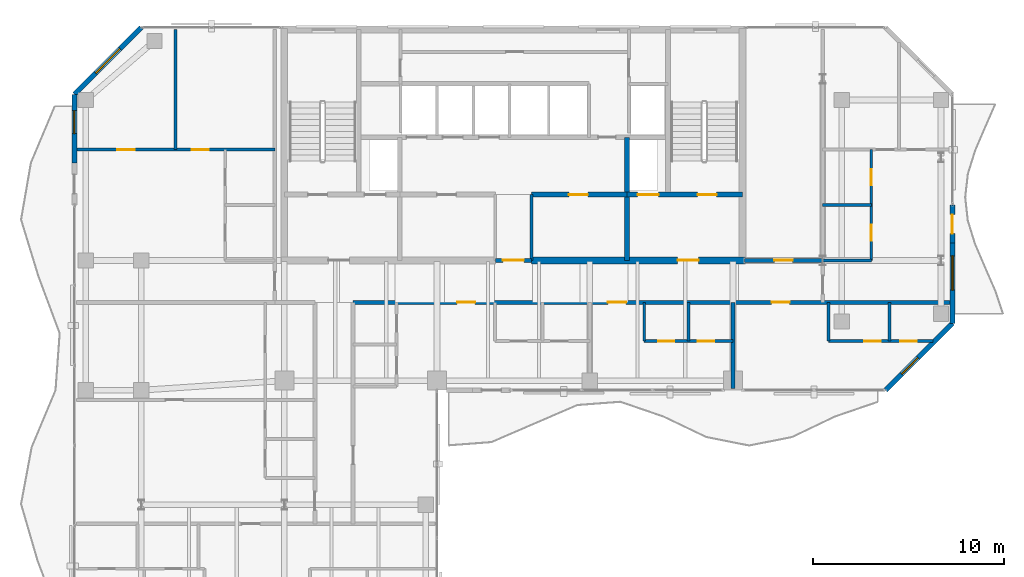
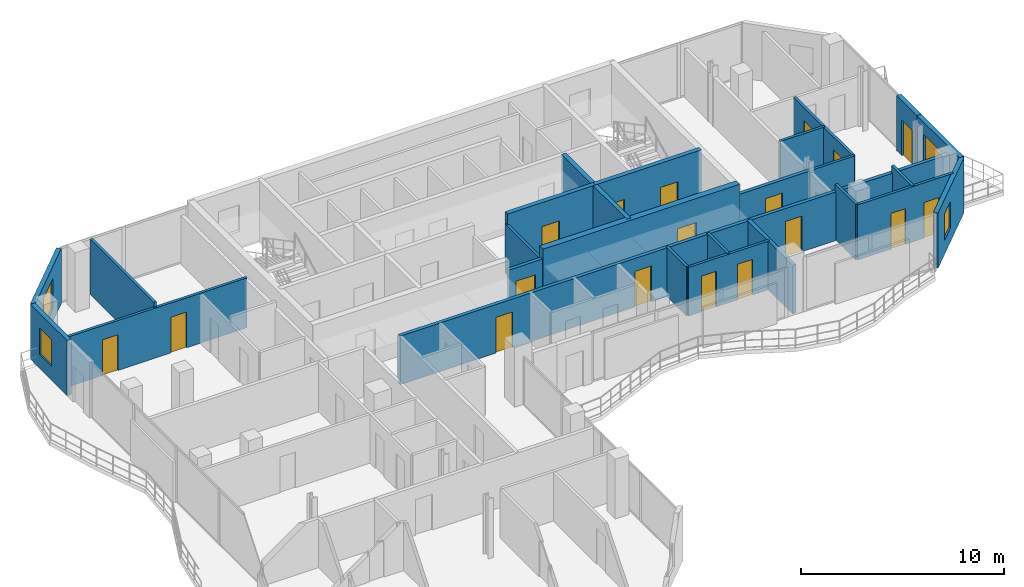
# One storey, part 19 of 24: 25 walls, 18 doors, 4 windows, 22 openings.
"""IFC4 building model written with IfcOpenShell, lengths in metres."""

from ifc_helpers import new_model, si_unit, direction, frame, frame_2d, origin, place, context, subcontext, project, spatial, rectangle, extrude, material, layer, layer_set, type_object, element, fill, save


model = new_model("IFC4")

# Units and contexts
model_context = context("Model", 3, precision=1e-05, world=origin(), true_north=direction((0.0, 1.0)))
body_context = subcontext(model_context, "Body", "Model", "MODEL_VIEW")
ifc_project = project(units=[si_unit("LENGTHUNIT", "METRE"), si_unit("AREAUNIT", "SQUARE_METRE"), si_unit("VOLUMEUNIT", "CUBIC_METRE"), si_unit("PLANEANGLEUNIT", "RADIAN"), si_unit("MASSUNIT", "GRAM", prefix="KILO")], contexts=[model_context])

# Site, building, storey
site_placement = place(None, origin())
site = spatial("IfcSite", under=ifc_project, at=site_placement, CompositionType="ELEMENT")
building_placement = place(site_placement, origin())
building = spatial("IfcBuilding", under=site, at=building_placement, Name="Catumbela Crestline Tower", CompositionType="ELEMENT")
storey_placement = place(building_placement, frame((0.0, 0.0, 161.4)))
storey = spatial("IfcBuildingStorey", under=building, at=storey_placement, Name="L41", CompositionType="ELEMENT", Elevation=161.4)

# Wall
ifc_material_1 = material(Name="Concrete C50/60", Category="concrete")
ifc_layer_1 = layer(ifc_material_1, 0.25, Name="Concrete C50/60")
ifc_layer_set_1 = layer_set([ifc_layer_1], Name="Concrete C50/60")
wall_type_1 = type_object("IfcWallType", Name="CW-250D", PredefinedType="SHEAR", material=ifc_layer_set_1)
wall_1_placement = place(storey_placement, frame((33.95, 30.8, 0.0), z_axis=(0.0, 0.0, 1.0), x_axis=(0.0, 1.0, 0.0)))
element("IfcWall", 1, at=wall_1_placement, inside=storey, type_object=wall_type_1, Name="L41 Structural Core Shear Wall FFE", PredefinedType="SHEAR", context=body_context, shape_type="SweptSolid", body=[
    extrude(rectangle(XDim=6.45, YDim=0.25, at=frame_2d((3.225, 0.0))), origin(), (0.0, 0.0, 1.0), 3.6),
])

# Wall, openings, doors
wall_2_placement = place(storey_placement, frame((33.95, 34.25, 0.0), z_axis=(0.0, 0.0, 1.0), x_axis=(1.0, 0.0, 0.0)))
wall_2 = element("IfcWall", 2, at=wall_2_placement, inside=storey, type_object=wall_type_1, Name="L41 Structural Core Shear Wall ST2S", PredefinedType="SHEAR", context=body_context, shape_type="SweptSolid", body=[
    extrude(rectangle(XDim=6.05, YDim=0.25, at=frame_2d((3.025, 0.0))), origin(), (0.0, 0.0, 1.0), 3.6),
])
opening_1_placement = place(wall_2_placement, frame((3.7, 0.0, 0.0)))
opening_1 = element("IfcOpeningElement", 3, at=opening_1_placement, cuts=wall_2, Name="Opening DF9-100", PredefinedType="OPENING", context=body_context, shape_type="SweptSolid", body=[
    extrude(rectangle(XDim=1.0, YDim=2.15, at=frame_2d((0.5, 1.075))), frame((0.0, 0.135, 0.0), z_axis=(0.0, -1.0, 0.0), x_axis=(1.0, 0.0, 0.0)), (0.0, 0.0, 1.0), 0.27),
])
opening_2_placement = place(wall_2_placement, frame((0.55, 0.0, 0.0)))
opening_2 = element("IfcOpeningElement", 4, at=opening_2_placement, cuts=wall_2, Name="Opening LD-110", PredefinedType="OPENING", context=body_context, shape_type="SweptSolid", body=[
    extrude(rectangle(XDim=1.1, YDim=2.15, at=frame_2d((0.55, 1.075))), frame((0.0, 0.135, 0.0), z_axis=(0.0, -1.0, 0.0), x_axis=(1.0, 0.0, 0.0)), (0.0, 0.0, 1.0), 0.27),
])
ifc_material_2 = material(Name="Stainless steel EN 1.4401", Category="steel")
door_type_1 = type_object("IfcDoorType", Name="DF9-100", OperationType="NOTDEFINED", PredefinedType="DOOR", material=ifc_material_2)
door_1_placement = place(opening_1_placement, origin())
door_1 = element("IfcDoor", 5, at=door_1_placement, inside=storey, type_object=door_type_1, Name="L41 Interior Door DR-L41-ST02", OperationType="SINGLE_SWING_RIGHT", OverallHeight=2.15, OverallWidth=1.0, PredefinedType="DOOR", context=body_context, shape_type="SweptSolid", body=[
    extrude(rectangle(XDim=1.0, YDim=2.15, at=frame_2d((0.5, 1.075))), frame((0.0, 0.025, 0.0), z_axis=(0.0, -1.0, 0.0), x_axis=(1.0, 0.0, 0.0)), (0.0, 0.0, 1.0), 0.05),
])
fill(opening_1, door_1)
door_type_2 = type_object("IfcDoorType", Name="LD-110", OperationType="NOTDEFINED", PredefinedType="DOOR", material=ifc_material_2)
door_2_placement = place(opening_2_placement, origin())
door_2 = element("IfcDoor", 6, at=door_2_placement, inside=storey, type_object=door_type_2, Name="L41 Lift Landing Sliding Door FL-02", OperationType="DOUBLE_DOOR_SLIDING", OverallHeight=2.15, OverallWidth=1.1, PredefinedType="DOOR", context=body_context, shape_type="SweptSolid", body=[
    extrude(rectangle(XDim=1.1, YDim=2.15, at=frame_2d((0.55, 1.075))), frame((0.0, 0.025, 0.0), z_axis=(0.0, -1.0, 0.0), x_axis=(1.0, 0.0, 0.0)), (0.0, 0.0, 1.0), 0.05),
])
fill(opening_2, door_2)

# Wall, opening, door
wall_3_placement = place(storey_placement, frame((28.95, 34.25, 0.0), z_axis=(0.0, 0.0, 1.0), x_axis=(1.0, 0.0, 0.0)))
wall_3 = element("IfcWall", 7, at=wall_3_placement, inside=storey, type_object=wall_type_1, Name="L41 Structural Core Shear Wall LIFTS-E", PredefinedType="SHEAR", context=body_context, shape_type="SweptSolid", body=[
    extrude(rectangle(XDim=5.0, YDim=0.25, at=frame_2d((2.5, 0.0))), origin(), (0.0, 0.0, 1.0), 3.6),
])
opening_3_placement = place(wall_3_placement, frame((1.95, 0.0, 0.0)))
opening_3 = element("IfcOpeningElement", 8, at=opening_3_placement, cuts=wall_3, Name="Opening DF9-100", PredefinedType="OPENING", context=body_context, shape_type="SweptSolid", body=[
    extrude(rectangle(XDim=1.0, YDim=2.15, at=frame_2d((0.5, 1.075))), frame((0.0, 0.135, 0.0), z_axis=(0.0, -1.0, 0.0), x_axis=(1.0, 0.0, 0.0)), (0.0, 0.0, 1.0), 0.27),
])
door_3_placement = place(opening_3_placement, origin())
door_3 = element("IfcDoor", 9, at=door_3_placement, inside=storey, type_object=door_type_1, Name="L41 Interior Door DR-L41-RECL2", OperationType="SINGLE_SWING_RIGHT", OverallHeight=2.15, OverallWidth=1.0, PredefinedType="DOOR", context=body_context, shape_type="SweptSolid", body=[
    extrude(rectangle(XDim=1.0, YDim=2.15, at=frame_2d((0.5, 1.075))), frame((0.0, 0.025, 0.0), z_axis=(0.0, -1.0, 0.0), x_axis=(1.0, 0.0, 0.0)), (0.0, 0.0, 1.0), 0.05),
])
fill(opening_3, door_3)

ifc_layer_2 = layer(ifc_material_1, 0.35, Name="Concrete C50/60")
ifc_layer_set_2 = layer_set([ifc_layer_2], Name="Concrete C50/60")
wall_type_2 = type_object("IfcWallType", Name="CW-350B", PredefinedType="SHEAR", material=ifc_layer_set_2)
wall_4_placement = place(storey_placement, frame((28.95, 30.8, 0.0), z_axis=(0.0, 0.0, 1.0), x_axis=(1.0, 0.0, 0.0)))
wall_4 = element("IfcWall", 10, at=wall_4_placement, inside=storey, type_object=wall_type_2, Name="L41 Structural Core Shear Wall SE", PredefinedType="SHEAR", context=body_context, shape_type="SweptSolid", body=[
    extrude(rectangle(XDim=11.2, YDim=0.35, at=frame_2d((5.6, 0.0))), origin(), (0.0, 0.0, 1.0), 3.6),
])
opening_4_placement = place(wall_4_placement, frame((7.65, 0.0, 0.0)))
opening_4 = element("IfcOpeningElement", 11, at=opening_4_placement, cuts=wall_4, Name="Opening DF9-110", PredefinedType="OPENING", context=body_context, shape_type="SweptSolid", body=[
    extrude(rectangle(XDim=1.1, YDim=2.15, at=frame_2d((0.55, 1.075))), frame((0.0, 0.185, 0.0), z_axis=(0.0, -1.0, 0.0), x_axis=(1.0, 0.0, 0.0)), (0.0, 0.0, 1.0), 0.37),
])
door_type_3 = type_object("IfcDoorType", Name="DF9-110", OperationType="NOTDEFINED", PredefinedType="DOOR", material=ifc_material_2)
door_4_placement = place(opening_4_placement, origin())
door_4 = element("IfcDoor", 12, at=door_4_placement, inside=storey, type_object=door_type_3, Name="L41 Interior Door DR-L41-FFE-S", OperationType="SINGLE_SWING_RIGHT", OverallHeight=2.15, OverallWidth=1.1, PredefinedType="DOOR", context=body_context, shape_type="SweptSolid", body=[
    extrude(rectangle(XDim=1.1, YDim=2.15, at=frame_2d((0.55, 1.075))), frame((0.0, 0.025, 0.0), z_axis=(0.0, -1.0, 0.0), x_axis=(1.0, 0.0, 0.0)), (0.0, 0.0, 1.0), 0.05),
])
fill(opening_4, door_4)

ifc_material_3 = material(Name="Acoustic gypsum and mineral-wool partition")
ifc_layer_3 = layer(ifc_material_3, 0.2, Name="Acoustic gypsum and mineral-wool partition")
ifc_layer_set_3 = layer_set([ifc_layer_3], Name="Acoustic gypsum and mineral-wool partition")
wall_type_3 = type_object("IfcWallType", Name="WC-200", PredefinedType="PARTITIONING", material=ifc_layer_set_3)
wall_5_placement = place(storey_placement, frame((27.05, 30.8, 0.0), z_axis=(0.0, 0.0, 1.0), x_axis=(1.0, 0.0, 0.0)))
wall_5 = element("IfcWall", 13, at=wall_5_placement, inside=storey, type_object=wall_type_3, Name="L41 Interior Partition PW-L41-CLOBS", PredefinedType="PARTITIONING", context=body_context, shape_type="SweptSolid", body=[
    extrude(rectangle(XDim=1.9, YDim=0.2, at=frame_2d((0.95, 0.0))), origin(), (0.0, 0.0, 1.0), 2.96),
])
opening_5_placement = place(wall_5_placement, frame((0.4, 0.0, 0.0)))
opening_5 = element("IfcOpeningElement", 14, at=opening_5_placement, cuts=wall_5, Name="Opening DF9-110", PredefinedType="OPENING", context=body_context, shape_type="SweptSolid", body=[
    extrude(rectangle(XDim=1.1, YDim=2.15, at=frame_2d((0.55, 1.075))), frame((0.0, 0.11, 0.0), z_axis=(0.0, -1.0, 0.0), x_axis=(1.0, 0.0, 0.0)), (0.0, 0.0, 1.0), 0.22),
])
door_5_placement = place(opening_5_placement, origin())
door_5 = element("IfcDoor", 15, at=door_5_placement, inside=storey, type_object=door_type_3, Name="L41 Interior Door DR-L41-CLOBS", OperationType="SINGLE_SWING_LEFT", OverallHeight=2.15, OverallWidth=1.1, PredefinedType="DOOR", context=body_context, shape_type="SweptSolid", body=[
    extrude(rectangle(XDim=1.1, YDim=2.15, at=frame_2d((0.55, 1.075))), frame((0.0, 0.025, 0.0), z_axis=(0.0, -1.0, 0.0), x_axis=(1.0, 0.0, 0.0)), (0.0, 0.0, 1.0), 0.05),
])
fill(opening_5, door_5)

# Wall, openings, doors
wall_6_placement = place(storey_placement, frame((19.6, 28.6, 0.0), z_axis=(0.0, 0.0, 1.0), x_axis=(1.0, 0.0, 0.0)))
wall_6 = element("IfcWall", 16, at=wall_6_placement, inside=storey, type_object=wall_type_3, Name="L41 Interior Partition PW-L41-RCWR", PredefinedType="PARTITIONING", context=body_context, shape_type="SweptSolid", body=[
    extrude(rectangle(XDim=31.3, YDim=0.2, at=frame_2d((15.65, 0.0))), origin(), (0.0, 0.0, 1.0), 2.93),
])
opening_6_placement = place(wall_6_placement, frame((5.445, 0.0, 0.0)))
opening_6 = element("IfcOpeningElement", 17, at=opening_6_placement, cuts=wall_6, Name="Opening DF6-095", PredefinedType="OPENING", context=body_context, shape_type="SweptSolid", body=[
    extrude(rectangle(XDim=0.95, YDim=2.15, at=frame_2d((0.475, 1.075))), frame((0.0, 0.11, 0.0), z_axis=(0.0, -1.0, 0.0), x_axis=(1.0, 0.0, 0.0)), (0.0, 0.0, 1.0), 0.22),
])
opening_7_placement = place(wall_6_placement, frame((13.35, 0.0, 0.0)))
opening_7 = element("IfcOpeningElement", 18, at=opening_7_placement, cuts=wall_6, Name="Opening DF6-095", PredefinedType="OPENING", context=body_context, shape_type="SweptSolid", body=[
    extrude(rectangle(XDim=0.95, YDim=2.15, at=frame_2d((0.475, 1.075))), frame((0.0, 0.11, 0.0), z_axis=(0.0, -1.0, 0.0), x_axis=(1.0, 0.0, 0.0)), (0.0, 0.0, 1.0), 0.22),
])
opening_8_placement = place(wall_6_placement, frame((21.925, 0.0, 0.0)))
opening_8 = element("IfcOpeningElement", 19, at=opening_8_placement, cuts=wall_6, Name="Opening DF6-095", PredefinedType="OPENING", context=body_context, shape_type="SweptSolid", body=[
    extrude(rectangle(XDim=0.95, YDim=2.15, at=frame_2d((0.475, 1.075))), frame((0.0, 0.11, 0.0), z_axis=(0.0, -1.0, 0.0), x_axis=(1.0, 0.0, 0.0)), (0.0, 0.0, 1.0), 0.22),
])
ifc_material_4 = material(Name="Aluminium alloy AW-6060-T66", Category="aluminium")
door_type_4 = type_object("IfcDoorType", Name="DF6-095", OperationType="NOTDEFINED", PredefinedType="DOOR", material=ifc_material_4)
door_6_placement = place(opening_6_placement, origin())
door_6 = element("IfcDoor", 20, at=door_6_placement, inside=storey, type_object=door_type_4, Name="L41 Interior Door DR-L41-S1-ENT", OperationType="SINGLE_SWING_LEFT", OverallHeight=2.15, OverallWidth=0.95, PredefinedType="DOOR", context=body_context, shape_type="SweptSolid", body=[
    extrude(rectangle(XDim=0.95, YDim=2.15, at=frame_2d((0.475, 1.075))), frame((0.0, 0.025, 0.0), z_axis=(0.0, -1.0, 0.0), x_axis=(1.0, 0.0, 0.0)), (0.0, 0.0, 1.0), 0.05),
])
fill(opening_6, door_6)
door_7_placement = place(opening_7_placement, origin())
door_7 = element("IfcDoor", 21, at=door_7_placement, inside=storey, type_object=door_type_4, Name="L41 Interior Door DR-L41-S2-ENT", OperationType="SINGLE_SWING_RIGHT", OverallHeight=2.15, OverallWidth=0.95, PredefinedType="DOOR", context=body_context, shape_type="SweptSolid", body=[
    extrude(rectangle(XDim=0.95, YDim=2.15, at=frame_2d((0.475, 1.075))), frame((0.0, 0.025, 0.0), z_axis=(0.0, -1.0, 0.0), x_axis=(1.0, 0.0, 0.0)), (0.0, 0.0, 1.0), 0.05),
])
fill(opening_7, door_7)
door_8_placement = place(opening_8_placement, origin())
door_8 = element("IfcDoor", 22, at=door_8_placement, inside=storey, type_object=door_type_4, Name="L41 Interior Door DR-L41-S3-ENT", OperationType="SINGLE_SWING_LEFT", OverallHeight=2.15, OverallWidth=0.95, PredefinedType="DOOR", context=body_context, shape_type="SweptSolid", body=[
    extrude(rectangle(XDim=0.95, YDim=2.15, at=frame_2d((0.475, 1.075))), frame((0.0, 0.025, 0.0), z_axis=(0.0, -1.0, 0.0), x_axis=(1.0, 0.0, 0.0)), (0.0, 0.0, 1.0), 0.05),
])
fill(opening_8, door_8)

# Wall, opening, door
wall_7_placement = place(storey_placement, frame((40.1, 30.8, 0.0), z_axis=(0.0, 0.0, 1.0), x_axis=(1.0, 0.0, 0.0)))
wall_7 = element("IfcWall", 23, at=wall_7_placement, inside=storey, type_object=wall_type_3, Name="L41 Interior Partition PW-L41-NERM-ENT", PredefinedType="PARTITIONING", context=body_context, shape_type="SweptSolid", body=[
    extrude(rectangle(XDim=4.1, YDim=0.2, at=frame_2d((2.05, 0.0))), origin(), (0.0, 0.0, 1.0), 2.93),
])
opening_9_placement = place(wall_7_placement, frame((1.575, 0.0, 0.0)))
opening_9 = element("IfcOpeningElement", 24, at=opening_9_placement, cuts=wall_7, Name="Opening DF6-095", PredefinedType="OPENING", context=body_context, shape_type="SweptSolid", body=[
    extrude(rectangle(XDim=0.95, YDim=2.15, at=frame_2d((0.475, 1.075))), frame((0.0, 0.11, 0.0), z_axis=(0.0, -1.0, 0.0), x_axis=(1.0, 0.0, 0.0)), (0.0, 0.0, 1.0), 0.22),
])
door_9_placement = place(opening_9_placement, origin())
door_9 = element("IfcDoor", 25, at=door_9_placement, inside=storey, type_object=door_type_4, Name="L41 Interior Door DR-L41-NERM-ENT", OperationType="SINGLE_SWING_LEFT", OverallHeight=2.15, OverallWidth=0.95, PredefinedType="DOOR", context=body_context, shape_type="SweptSolid", body=[
    extrude(rectangle(XDim=0.95, YDim=2.15, at=frame_2d((0.475, 1.075))), frame((0.0, 0.025, 0.0), z_axis=(0.0, -1.0, 0.0), x_axis=(1.0, 0.0, 0.0)), (0.0, 0.0, 1.0), 0.05),
])
fill(opening_9, door_9)

# Wall, opening, window
ifc_material_5 = material(Name="Angolan grey-ochre granite", Category="masonry")
ifc_layer_4 = layer(ifc_material_5, 0.25, Name="Angolan grey-ochre granite")
ifc_layer_set_4 = layer_set([ifc_layer_4], Name="Angolan grey-ochre granite")
wall_type_4 = type_object("IfcWallType", Name="WE-250", PredefinedType="STANDARD", material=ifc_layer_set_4)
wall_8_placement = place(storey_placement, frame((47.5, 24.0, 0.0), z_axis=(0.0, 0.0, 1.0), x_axis=(0.707106781187, 0.707106781187, 0.0)))
wall_8 = element("IfcWall", 26, at=wall_8_placement, inside=storey, type_object=wall_type_4, Name="L41 Granite Punched Window Wall 4-1", PredefinedType="STANDARD", context=body_context, shape_type="SweptSolid", body=[
    extrude(rectangle(XDim=4.9497, YDim=0.25, at=frame_2d((2.4748, 0.0))), origin(), (0.0, 0.0, 1.0), 3.33),
])
opening_10_placement = place(wall_8_placement, frame((1.1962, 0.0, 0.85)))
opening_10 = element("IfcOpeningElement", 27, at=opening_10_placement, cuts=wall_8, Name="Opening WN-02", PredefinedType="OPENING", context=body_context, shape_type="SweptSolid", body=[
    extrude(rectangle(XDim=1.2, YDim=1.6, at=frame_2d((0.6, 0.8))), frame((0.0, 0.135, 0.0), z_axis=(0.0, -1.0, 0.0), x_axis=(1.0, 0.0, 0.0)), (0.0, 0.0, 1.0), 0.27),
])
ifc_material_6 = material(Name="Low-E laminated solar-control double glazing", Category="glass")
window_type_1 = type_object("IfcWindowType", Name="WO-1200", PartitioningType="SINGLE_PANEL", PredefinedType="WINDOW", material=ifc_material_6)
window_1_placement = place(opening_10_placement, origin())
window_1 = element("IfcWindow", 28, at=window_1_placement, inside=storey, type_object=window_type_1, Name="L41 Facade Vision Window 238", OverallHeight=1.6, OverallWidth=1.2, PartitioningType="SINGLE_PANEL", PredefinedType="WINDOW", context=body_context, shape_type="SweptSolid", body=[
    extrude(rectangle(XDim=1.2, YDim=1.6, at=frame_2d((0.6, 0.8))), frame((0.0, 0.03, 0.0), z_axis=(0.0, -1.0, 0.0), x_axis=(1.0, 0.0, 0.0)), (0.0, 0.0, 1.0), 0.06),
])
fill(opening_10, window_1)

# Wall, opening, door
wall_9_placement = place(storey_placement, frame((51.0, 31.7, 0.0), z_axis=(0.0, 0.0, 1.0), x_axis=(0.0, 1.0, 0.0)))
wall_9 = element("IfcWall", 29, at=wall_9_placement, inside=storey, type_object=wall_type_4, Name="L41 Exterior Threshold Portal Wall DR-L41-WBAL-2", PredefinedType="STANDARD", context=body_context, shape_type="SweptSolid", body=[
    extrude(rectangle(XDim=2.0, YDim=0.25, at=frame_2d((1.0, 0.0))), origin(), (0.0, 0.0, 1.0), 3.33),
])
opening_11_placement = place(wall_9_placement, frame((0.5, 0.0, 0.0)))
opening_11 = element("IfcOpeningElement", 30, at=opening_11_placement, cuts=wall_9, Name="Opening DB-L41-2", PredefinedType="OPENING", context=body_context, shape_type="SweptSolid", body=[
    extrude(rectangle(XDim=1.0, YDim=2.15, at=frame_2d((0.5, 1.075))), frame((0.0, 0.135, 0.0), z_axis=(0.0, -1.0, 0.0), x_axis=(1.0, 0.0, 0.0)), (0.0, 0.0, 1.0), 0.27),
])
door_type_5 = type_object("IfcDoorType", Name="DB-1000", OperationType="NOTDEFINED", PredefinedType="DOOR", material=ifc_material_4)
door_10_placement = place(opening_11_placement, origin())
door_10 = element("IfcDoor", 31, at=door_10_placement, inside=storey, type_object=door_type_5, Name="L41 Wave Balcony Terrace Door 2", OperationType="SINGLE_SWING_RIGHT", OverallHeight=2.15, OverallWidth=1.0, PredefinedType="DOOR", context=body_context, shape_type="SweptSolid", body=[
    extrude(rectangle(XDim=1.0, YDim=2.15, at=frame_2d((0.5, 1.075))), frame((0.0, 0.025, 0.0), z_axis=(0.0, -1.0, 0.0), x_axis=(1.0, 0.0, 0.0)), (0.0, 0.0, 1.0), 0.05),
])
fill(opening_11, door_10)

# Wall, opening, window
wall_10_placement = place(storey_placement, frame((51.0, 27.5, 0.0), z_axis=(0.0, 0.0, 1.0), x_axis=(0.0, 1.0, 0.0)))
wall_10 = element("IfcWall", 32, at=wall_10_placement, inside=storey, type_object=wall_type_4, Name="L41 Granite Punched Window Wall 5-1", PredefinedType="STANDARD", context=body_context, shape_type="SweptSolid", body=[
    extrude(rectangle(XDim=4.2, YDim=0.25, at=frame_2d((2.1, 0.0))), origin(), (0.0, 0.0, 1.0), 3.33),
])
opening_12_placement = place(wall_10_placement, frame((1.74, 0.0, 0.75)))
opening_12 = element("IfcOpeningElement", 33, at=opening_12_placement, cuts=wall_10, Name="Opening WN-01", PredefinedType="OPENING", context=body_context, shape_type="SweptSolid", body=[
    extrude(rectangle(XDim=1.8, YDim=1.85, at=frame_2d((0.9, 0.925))), frame((0.0, 0.135, 0.0), z_axis=(0.0, -1.0, 0.0), x_axis=(1.0, 0.0, 0.0)), (0.0, 0.0, 1.0), 0.27),
])
window_type_2 = type_object("IfcWindowType", Name="WF-1800", PartitioningType="SINGLE_PANEL", PredefinedType="WINDOW", material=ifc_material_6)
window_2_placement = place(opening_12_placement, origin())
window_2 = element("IfcWindow", 34, at=window_2_placement, inside=storey, type_object=window_type_2, Name="L41 Facade Vision Window 239", OverallHeight=1.85, OverallWidth=1.8, PartitioningType="SINGLE_PANEL", PredefinedType="WINDOW", context=body_context, shape_type="SweptSolid", body=[
    extrude(rectangle(XDim=1.8, YDim=1.85, at=frame_2d((0.9, 0.925))), frame((0.0, 0.03, 0.0), z_axis=(0.0, -1.0, 0.0), x_axis=(1.0, 0.0, 0.0)), (0.0, 0.0, 1.0), 0.06),
])
fill(opening_12, window_2)

wall_11_placement = place(storey_placement, frame((8.5, 43.0, 0.0), z_axis=(0.0, 0.0, 1.0), x_axis=(-0.707106781187, -0.707106781187, 0.0)))
wall_11 = element("IfcWall", 35, at=wall_11_placement, inside=storey, type_object=wall_type_4, Name="L41 Granite Punched Window Wall 8-1", PredefinedType="STANDARD", context=body_context, shape_type="SweptSolid", body=[
    extrude(rectangle(XDim=4.9497, YDim=0.25, at=frame_2d((2.4748, 0.0))), origin(), (0.0, 0.0, 1.0), 3.33),
])
opening_13_placement = place(wall_11_placement, frame((1.5749, 0.0, 0.75)))
opening_13 = element("IfcOpeningElement", 36, at=opening_13_placement, cuts=wall_11, Name="Opening WN-01", PredefinedType="OPENING", context=body_context, shape_type="SweptSolid", body=[
    extrude(rectangle(XDim=1.8, YDim=1.85, at=frame_2d((0.9, 0.925))), frame((0.0, 0.135, 0.0), z_axis=(0.0, -1.0, 0.0), x_axis=(1.0, 0.0, 0.0)), (0.0, 0.0, 1.0), 0.27),
])
window_3_placement = place(opening_13_placement, origin())
window_3 = element("IfcWindow", 37, at=window_3_placement, inside=storey, type_object=window_type_2, Name="L41 Facade Vision Window 241", OverallHeight=1.85, OverallWidth=1.8, PartitioningType="SINGLE_PANEL", PredefinedType="WINDOW", context=body_context, shape_type="SweptSolid", body=[
    extrude(rectangle(XDim=1.8, YDim=1.85, at=frame_2d((0.9, 0.925))), frame((0.0, 0.03, 0.0), z_axis=(0.0, -1.0, 0.0), x_axis=(1.0, 0.0, 0.0)), (0.0, 0.0, 1.0), 0.06),
])
fill(opening_13, window_3)

wall_12_placement = place(storey_placement, frame((5.0, 39.5, 0.0), z_axis=(0.0, 0.0, 1.0), x_axis=(0.0, -1.0, 0.0)))
wall_12 = element("IfcWall", 38, at=wall_12_placement, inside=storey, type_object=wall_type_4, Name="L41 Granite Punched Window Wall 9-1", PredefinedType="STANDARD", context=body_context, shape_type="SweptSolid", body=[
    extrude(rectangle(XDim=3.6, YDim=0.25, at=frame_2d((1.8, 0.0))), origin(), (0.0, 0.0, 1.0), 3.33),
])
opening_14_placement = place(wall_12_placement, frame((0.856, 0.0, 0.85)))
opening_14 = element("IfcOpeningElement", 39, at=opening_14_placement, cuts=wall_12, Name="Opening WN-02", PredefinedType="OPENING", context=body_context, shape_type="SweptSolid", body=[
    extrude(rectangle(XDim=1.2, YDim=1.6, at=frame_2d((0.6, 0.8))), frame((0.0, 0.135, 0.0), z_axis=(0.0, -1.0, 0.0), x_axis=(1.0, 0.0, 0.0)), (0.0, 0.0, 1.0), 0.27),
])
window_4_placement = place(opening_14_placement, origin())
window_4 = element("IfcWindow", 40, at=window_4_placement, inside=storey, type_object=window_type_1, Name="L41 Facade Vision Window 242", OverallHeight=1.6, OverallWidth=1.2, PartitioningType="SINGLE_PANEL", PredefinedType="WINDOW", context=body_context, shape_type="SweptSolid", body=[
    extrude(rectangle(XDim=1.2, YDim=1.6, at=frame_2d((0.6, 0.8))), frame((0.0, 0.03, 0.0), z_axis=(0.0, -1.0, 0.0), x_axis=(1.0, 0.0, 0.0)), (0.0, 0.0, 1.0), 0.06),
])
fill(opening_14, window_4)

# Wall, openings, doors
ifc_layer_5 = layer(ifc_material_3, 0.15, Name="Acoustic gypsum and mineral-wool partition")
ifc_layer_set_5 = layer_set([ifc_layer_5], Name="Acoustic gypsum and mineral-wool partition")
wall_type_5 = type_object("IfcWallType", Name="WP-150", PredefinedType="PARTITIONING", material=ifc_layer_set_5)
wall_13_placement = place(storey_placement, frame((5.1, 36.608, 0.0), z_axis=(0.0, 0.0, 1.0), x_axis=(1.0, 0.0, 0.0)))
wall_13 = element("IfcWall", 41, at=wall_13_placement, inside=storey, type_object=wall_type_5, Name="L41 Interior Partition PW-L41-NW1-KBN", PredefinedType="PARTITIONING", context=body_context, shape_type="SweptSolid", body=[
    extrude(rectangle(XDim=10.4, YDim=0.15, at=frame_2d((5.2, 0.0))), origin(), (0.0, 0.0, 1.0), 3.01),
])
opening_15_placement = place(wall_13_placement, frame((2.15, 0.0, 0.0)))
opening_15 = element("IfcOpeningElement", 42, at=opening_15_placement, cuts=wall_13, Name="Opening DI-090", PredefinedType="OPENING", context=body_context, shape_type="SweptSolid", body=[
    extrude(rectangle(XDim=0.9, YDim=2.15, at=frame_2d((0.45, 1.075))), frame((0.0, 0.085, 0.0), z_axis=(0.0, -1.0, 0.0), x_axis=(1.0, 0.0, 0.0)), (0.0, 0.0, 1.0), 0.17),
])
opening_16_placement = place(wall_13_placement, frame((6.05, 0.0, 0.0)))
opening_16 = element("IfcOpeningElement", 43, at=opening_16_placement, cuts=wall_13, Name="Opening DI-090", PredefinedType="OPENING", context=body_context, shape_type="SweptSolid", body=[
    extrude(rectangle(XDim=0.9, YDim=2.15, at=frame_2d((0.45, 1.075))), frame((0.0, 0.085, 0.0), z_axis=(0.0, -1.0, 0.0), x_axis=(1.0, 0.0, 0.0)), (0.0, 0.0, 1.0), 0.17),
])
door_type_6 = type_object("IfcDoorType", Name="DI-090", OperationType="NOTDEFINED", PredefinedType="DOOR", material=ifc_material_4)
door_11_placement = place(opening_15_placement, origin())
door_11 = element("IfcDoor", 44, at=door_11_placement, inside=storey, type_object=door_type_6, Name="L41 Interior Door DR-L41-NW1-BD1", OperationType="SINGLE_SWING_LEFT", OverallHeight=2.15, OverallWidth=0.9, PredefinedType="DOOR", context=body_context, shape_type="SweptSolid", body=[
    extrude(rectangle(XDim=0.9, YDim=2.15, at=frame_2d((0.45, 1.075))), frame((0.0, 0.025, 0.0), z_axis=(0.0, -1.0, 0.0), x_axis=(1.0, 0.0, 0.0)), (0.0, 0.0, 1.0), 0.05),
])
fill(opening_15, door_11)
door_12_placement = place(opening_16_placement, origin())
door_12 = element("IfcDoor", 45, at=door_12_placement, inside=storey, type_object=door_type_6, Name="L41 Interior Door DR-L41-NW1-BD2", OperationType="SINGLE_SWING_RIGHT", OverallHeight=2.15, OverallWidth=0.9, PredefinedType="DOOR", context=body_context, shape_type="SweptSolid", body=[
    extrude(rectangle(XDim=0.9, YDim=2.15, at=frame_2d((0.45, 1.075))), frame((0.0, 0.025, 0.0), z_axis=(0.0, -1.0, 0.0), x_axis=(1.0, 0.0, 0.0)), (0.0, 0.0, 1.0), 0.05),
])
fill(opening_16, door_12)

# Walls
wall_14_placement = place(storey_placement, frame((10.3, 36.608, 0.0), z_axis=(0.0, 0.0, 1.0), x_axis=(0.0, 1.0, 0.0)))
element("IfcWall", 46, at=wall_14_placement, inside=storey, type_object=wall_type_5, Name="L41 Interior Partition PW-L41-NW1-BDP", PredefinedType="PARTITIONING", context=body_context, shape_type="SweptSolid", body=[
    extrude(rectangle(XDim=6.292, YDim=0.15, at=frame_2d((3.146, 0.0))), origin(), (0.0, 0.0, 1.0), 3.33),
])
for number, where, z_axis, x_axis, name in (
    (47, (44.2, 30.8, 0.0), (0.0, 0.0, 1.0), (1.0, 0.0, 0.0), "L41 Interior Partition PW-L41-NE1-KBS"),
    (48, (44.2, 33.704, 0.0), (0.0, 0.0, 1.0), (1.0, 0.0, 0.0), "L41 Interior Partition PW-L41-NE1-KBM"),
):
    element("IfcWall", number, at=place(storey_placement, frame(where, z_axis=z_axis, x_axis=x_axis)), inside=storey, type_object=wall_type_5, Name=name, PredefinedType="PARTITIONING", context=body_context, shape_type="SweptSolid", body=[
        extrude(rectangle(XDim=2.546, YDim=0.15, at=frame_2d((1.273, 0.0))), origin(), (0.0, 0.0, 1.0), 2.93),
    ])

# Wall, openings, doors
wall_15_placement = place(storey_placement, frame((46.746, 30.8, 0.0), z_axis=(0.0, 0.0, 1.0), x_axis=(0.0, 1.0, 0.0)))
wall_15 = element("IfcWall", 49, at=wall_15_placement, inside=storey, type_object=wall_type_5, Name="L41 Interior Partition PW-L41-NE1-LK", PredefinedType="PARTITIONING", context=body_context, shape_type="SweptSolid", body=[
    extrude(rectangle(XDim=5.808, YDim=0.15, at=frame_2d((2.904, 0.0))), origin(), (0.0, 0.0, 1.0), 2.93),
])
opening_17_placement = place(wall_15_placement, frame((1.027, 0.0, 0.0)))
opening_17 = element("IfcOpeningElement", 50, at=opening_17_placement, cuts=wall_15, Name="Opening DI-085", PredefinedType="OPENING", context=body_context, shape_type="SweptSolid", body=[
    extrude(rectangle(XDim=0.85, YDim=2.15, at=frame_2d((0.425, 1.075))), frame((0.0, 0.085, 0.0), z_axis=(0.0, -1.0, 0.0), x_axis=(1.0, 0.0, 0.0)), (0.0, 0.0, 1.0), 0.17),
])
opening_18_placement = place(wall_15_placement, frame((3.931, 0.0, 0.0)))
opening_18 = element("IfcOpeningElement", 51, at=opening_18_placement, cuts=wall_15, Name="Opening DI-085", PredefinedType="OPENING", context=body_context, shape_type="SweptSolid", body=[
    extrude(rectangle(XDim=0.85, YDim=2.15, at=frame_2d((0.425, 1.075))), frame((0.0, 0.085, 0.0), z_axis=(0.0, -1.0, 0.0), x_axis=(1.0, 0.0, 0.0)), (0.0, 0.0, 1.0), 0.17),
])
door_type_7 = type_object("IfcDoorType", Name="DI-085", OperationType="NOTDEFINED", PredefinedType="DOOR", material=ifc_material_4)
door_13_placement = place(opening_17_placement, origin())
door_13 = element("IfcDoor", 52, at=door_13_placement, inside=storey, type_object=door_type_7, Name="L41 Interior Door DR-L41-NE1-KIT", OperationType="SINGLE_SWING_LEFT", OverallHeight=2.15, OverallWidth=0.85, PredefinedType="DOOR", context=body_context, shape_type="SweptSolid", body=[
    extrude(rectangle(XDim=0.85, YDim=2.15, at=frame_2d((0.425, 1.075))), frame((0.0, 0.025, 0.0), z_axis=(0.0, -1.0, 0.0), x_axis=(1.0, 0.0, 0.0)), (0.0, 0.0, 1.0), 0.05),
])
fill(opening_17, door_13)
door_14_placement = place(opening_18_placement, origin())
door_14 = element("IfcDoor", 53, at=door_14_placement, inside=storey, type_object=door_type_7, Name="L41 Interior Door DR-L41-NE1-BTH", OperationType="SINGLE_SWING_RIGHT", OverallHeight=2.15, OverallWidth=0.85, PredefinedType="DOOR", context=body_context, shape_type="SweptSolid", body=[
    extrude(rectangle(XDim=0.85, YDim=2.15, at=frame_2d((0.425, 1.075))), frame((0.0, 0.025, 0.0), z_axis=(0.0, -1.0, 0.0), x_axis=(1.0, 0.0, 0.0)), (0.0, 0.0, 1.0), 0.05),
])
fill(opening_18, door_14)

# Walls
for number, where, z_axis, x_axis, name in (
    (54, (34.85, 26.576, 0.0), (0.0, 0.0, 1.0), (0.0, 1.0, 0.0), "L41 Interior Partition PW-L41-S2-KBW"),
    (55, (37.175, 26.576, 0.0), (0.0, 0.0, 1.0), (0.0, 1.0, 0.0), "L41 Interior Partition PW-L41-S2-KBM"),
):
    element("IfcWall", number, at=place(storey_placement, frame(where, z_axis=z_axis, x_axis=x_axis)), inside=storey, type_object=wall_type_5, Name=name, PredefinedType="PARTITIONING", context=body_context, shape_type="SweptSolid", body=[
        extrude(rectangle(XDim=2.024, YDim=0.15, at=frame_2d((1.012, 0.0))), origin(), (0.0, 0.0, 1.0), 2.96),
    ])

# Wall, openings, doors
wall_16_placement = place(storey_placement, frame((34.85, 26.576, 0.0), z_axis=(0.0, 0.0, 1.0), x_axis=(1.0, 0.0, 0.0)))
wall_16 = element("IfcWall", 56, at=wall_16_placement, inside=storey, type_object=wall_type_5, Name="L41 Interior Partition PW-L41-S2-KBD1", PredefinedType="PARTITIONING", context=body_context, shape_type="SweptSolid", body=[
    extrude(rectangle(XDim=4.65, YDim=0.15, at=frame_2d((2.325, 0.0))), origin(), (0.0, 0.0, 1.0), 2.93),
])
opening_19_placement = place(wall_16_placement, frame((0.7375, 0.0, 0.0)))
opening_19 = element("IfcOpeningElement", 57, at=opening_19_placement, cuts=wall_16, Name="Opening DI-085", PredefinedType="OPENING", context=body_context, shape_type="SweptSolid", body=[
    extrude(rectangle(XDim=0.85, YDim=2.15, at=frame_2d((0.425, 1.075))), frame((0.0, 0.085, 0.0), z_axis=(0.0, -1.0, 0.0), x_axis=(1.0, 0.0, 0.0)), (0.0, 0.0, 1.0), 0.17),
])
opening_20_placement = place(wall_16_placement, frame((2.8075, 0.0, 0.0)))
opening_20 = element("IfcOpeningElement", 58, at=opening_20_placement, cuts=wall_16, Name="Opening DI-085", PredefinedType="OPENING", context=body_context, shape_type="SweptSolid", body=[
    extrude(rectangle(XDim=0.85, YDim=2.15, at=frame_2d((0.425, 1.075))), frame((0.0, 0.085, 0.0), z_axis=(0.0, -1.0, 0.0), x_axis=(1.0, 0.0, 0.0)), (0.0, 0.0, 1.0), 0.17),
])
door_15_placement = place(opening_19_placement, origin())
door_15 = element("IfcDoor", 59, at=door_15_placement, inside=storey, type_object=door_type_7, Name="L41 Interior Door DR-L41-S2-BTH", OperationType="SINGLE_SWING_LEFT", OverallHeight=2.15, OverallWidth=0.85, PredefinedType="DOOR", context=body_context, shape_type="SweptSolid", body=[
    extrude(rectangle(XDim=0.85, YDim=2.15, at=frame_2d((0.425, 1.075))), frame((0.0, 0.025, 0.0), z_axis=(0.0, -1.0, 0.0), x_axis=(1.0, 0.0, 0.0)), (0.0, 0.0, 1.0), 0.05),
])
fill(opening_19, door_15)
door_16_placement = place(opening_20_placement, origin())
door_16 = element("IfcDoor", 60, at=door_16_placement, inside=storey, type_object=door_type_7, Name="L41 Interior Door DR-L41-S2-KIT", OperationType="SINGLE_SWING_RIGHT", OverallHeight=2.15, OverallWidth=0.85, PredefinedType="DOOR", context=body_context, shape_type="SweptSolid", body=[
    extrude(rectangle(XDim=0.85, YDim=2.15, at=frame_2d((0.425, 1.075))), frame((0.0, 0.025, 0.0), z_axis=(0.0, -1.0, 0.0), x_axis=(1.0, 0.0, 0.0)), (0.0, 0.0, 1.0), 0.05),
])
fill(opening_20, door_16)

# Walls
for number, where, z_axis, x_axis, name in (
    (61, (44.5, 26.576, 0.0), (0.0, 0.0, 1.0), (0.0, 1.0, 0.0), "L41 Interior Partition PW-L41-S3-KBW"),
    (62, (47.7, 26.576, 0.0), (0.0, 0.0, 1.0), (0.0, 1.0, 0.0), "L41 Interior Partition PW-L41-S3-KBM"),
):
    element("IfcWall", number, at=place(storey_placement, frame(where, z_axis=z_axis, x_axis=x_axis)), inside=storey, type_object=wall_type_5, Name=name, PredefinedType="PARTITIONING", context=body_context, shape_type="SweptSolid", body=[
        extrude(rectangle(XDim=2.024, YDim=0.15, at=frame_2d((1.012, 0.0))), origin(), (0.0, 0.0, 1.0), 3.33),
    ])

# Wall, openings, doors
wall_17_placement = place(storey_placement, frame((44.5, 26.576, 0.0), z_axis=(0.0, 0.0, 1.0), x_axis=(1.0, 0.0, 0.0)))
wall_17 = element("IfcWall", 63, at=wall_17_placement, inside=storey, type_object=wall_type_5, Name="L41 Interior Partition PW-L41-S3-KBD1", PredefinedType="PARTITIONING", context=body_context, shape_type="SweptSolid", body=[
    extrude(rectangle(XDim=5.476, YDim=0.15, at=frame_2d((2.738, 0.0))), origin(), (0.0, 0.0, 1.0), 3.33),
])
opening_21_placement = place(wall_17_placement, frame((1.8821, 0.0, 0.0)))
opening_21 = element("IfcOpeningElement", 64, at=opening_21_placement, cuts=wall_17, Name="Opening DI-085", PredefinedType="OPENING", context=body_context, shape_type="SweptSolid", body=[
    extrude(rectangle(XDim=0.85, YDim=2.15, at=frame_2d((0.425, 1.075))), frame((0.0, 0.085, 0.0), z_axis=(0.0, -1.0, 0.0), x_axis=(1.0, 0.0, 0.0)), (0.0, 0.0, 1.0), 0.17),
])
opening_22_placement = place(wall_17_placement, frame((3.7704, 0.0, 0.0)))
opening_22 = element("IfcOpeningElement", 65, at=opening_22_placement, cuts=wall_17, Name="Opening DI-085", PredefinedType="OPENING", context=body_context, shape_type="SweptSolid", body=[
    extrude(rectangle(XDim=0.85, YDim=2.15, at=frame_2d((0.425, 1.075))), frame((0.0, 0.085, 0.0), z_axis=(0.0, -1.0, 0.0), x_axis=(1.0, 0.0, 0.0)), (0.0, 0.0, 1.0), 0.17),
])
door_17_placement = place(opening_21_placement, origin())
door_17 = element("IfcDoor", 66, at=door_17_placement, inside=storey, type_object=door_type_7, Name="L41 Interior Door DR-L41-S3-BTH", OperationType="SINGLE_SWING_RIGHT", OverallHeight=2.15, OverallWidth=0.85, PredefinedType="DOOR", context=body_context, shape_type="SweptSolid", body=[
    extrude(rectangle(XDim=0.85, YDim=2.15, at=frame_2d((0.425, 1.075))), frame((0.0, 0.025, 0.0), z_axis=(0.0, -1.0, 0.0), x_axis=(1.0, 0.0, 0.0)), (0.0, 0.0, 1.0), 0.05),
])
fill(opening_21, door_17)
door_18_placement = place(opening_22_placement, origin())
door_18 = element("IfcDoor", 67, at=door_18_placement, inside=storey, type_object=door_type_7, Name="L41 Interior Door DR-L41-S3-KIT", OperationType="SINGLE_SWING_LEFT", OverallHeight=2.15, OverallWidth=0.85, PredefinedType="DOOR", context=body_context, shape_type="SweptSolid", body=[
    extrude(rectangle(XDim=0.85, YDim=2.15, at=frame_2d((0.425, 1.075))), frame((0.0, 0.025, 0.0), z_axis=(0.0, -1.0, 0.0), x_axis=(1.0, 0.0, 0.0)), (0.0, 0.0, 1.0), 0.05),
])
fill(opening_22, door_18)

# Walls
ifc_layer_6 = layer(ifc_material_3, 0.2, Name="Acoustic gypsum and mineral-wool partition")
ifc_layer_set_6 = layer_set([ifc_layer_6], Name="Acoustic gypsum and mineral-wool partition")
wall_type_6 = type_object("IfcWallType", Name="WY-200", PredefinedType="PARTITIONING", material=ifc_layer_set_6)
wall_18_placement = place(storey_placement, frame((39.5, 24.1, 0.0), z_axis=(0.0, 0.0, 1.0), x_axis=(0.0, 1.0, 0.0)))
element("IfcWall", 68, at=wall_18_placement, inside=storey, type_object=wall_type_6, Name="L41 Interior Partition PW-L41-RSPP-3", PredefinedType="PARTITIONING", context=body_context, shape_type="SweptSolid", body=[
    extrude(rectangle(XDim=4.5, YDim=0.2, at=frame_2d((2.25, 0.0))), origin(), (0.0, 0.0, 1.0), 2.93),
])
ifc_layer_7 = layer(ifc_material_3, 0.15, Name="Acoustic gypsum and mineral-wool partition")
ifc_layer_set_7 = layer_set([ifc_layer_7], Name="Acoustic gypsum and mineral-wool partition")
wall_type_7 = type_object("IfcWallType", Name="WS-150", PredefinedType="PLUMBINGWALL", material=ifc_layer_set_7)
wall_19_placement = place(storey_placement, frame((28.95, 30.8, 0.0), z_axis=(0.0, 0.0, 1.0), x_axis=(0.0, 1.0, 0.0)))
element("IfcWall", 69, at=wall_19_placement, inside=storey, type_object=wall_type_7, Name="L41 Interior Partition PW-L41-THRE", PredefinedType="PLUMBINGWALL", context=body_context, shape_type="SweptSolid", body=[
    extrude(rectangle(XDim=3.45, YDim=0.15, at=frame_2d((1.725, 0.0))), origin(), (0.0, 0.0, 1.0), 2.96),
])

save(model, "model.ifc")
